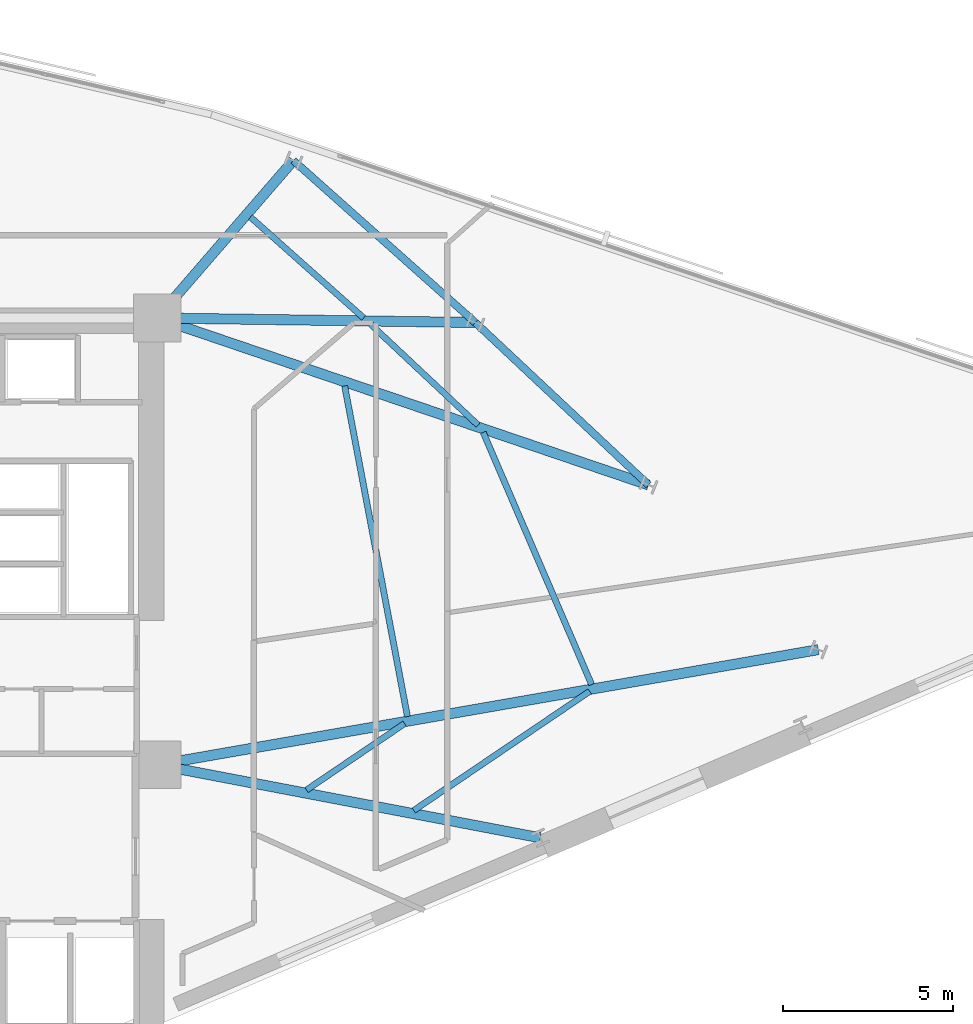
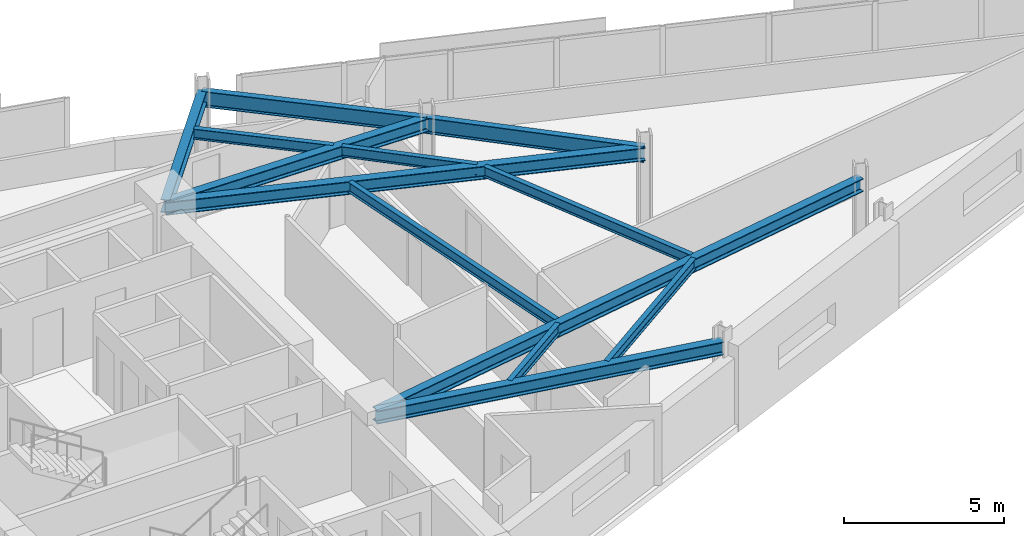
# One storey, part 3 of 14: 13 beams.
"""IFC4 building model written with IfcOpenShell, lengths in metres."""

from ifc_helpers import new_model, si_unit, direction, frame, origin, origin_2d, place, context, subcontext, project, spatial, i_section, extrude, material, material_profile, profile_set, type_object, element, save


model = new_model("IFC4")

# Units and contexts
model_context = context("Model", 3, precision=1e-05, world=origin(), true_north=direction((0.0, 1.0)))
body_context = subcontext(model_context, "Body", "Model", "MODEL_VIEW")
ifc_project = project(units=[si_unit("LENGTHUNIT", "METRE"), si_unit("AREAUNIT", "SQUARE_METRE"), si_unit("VOLUMEUNIT", "CUBIC_METRE"), si_unit("PLANEANGLEUNIT", "RADIAN"), si_unit("MASSUNIT", "GRAM", prefix="KILO")], contexts=[model_context])

# Site, building, storey
site_placement = place(None, origin())
site = spatial("IfcSite", under=ifc_project, at=site_placement, CompositionType="ELEMENT")
building_placement = place(site_placement, origin())
building = spatial("IfcBuilding", under=site, at=building_placement, Name="Narakoshi Arena Tower", CompositionType="ELEMENT")
storey_placement = place(building_placement, frame((0.0, 0.0, 193.179931640625)))
storey = spatial("IfcBuildingStorey", under=building, at=storey_placement, Name="L52", CompositionType="ELEMENT", Elevation=193.179931640625)

# Beams
ifc_material = material(Name="Structural steel S355J2", Category="steel")
ifc_material_profile_1 = material_profile(ifc_material, i_section(OverallWidth=0.219970703125, OverallDepth=0.60009765625, WebThickness=0.011962890625, FlangeThickness=0.01904296875, FilletRadius=0.02392578125, at=origin_2d()), Name="IPE600")
ifc_profile_set_1 = profile_set([ifc_material_profile_1], Name="Structural steel S355J2")
beam_type_1 = type_object("IfcBeamType", Name="BM-EDGE-600", PredefinedType="BEAM", material=ifc_profile_set_1)
beam_1_placement = place(storey_placement, frame((100.012939453125, 51.58544921875, 2.719970703125), z_axis=(-0.729413011888, 0.684073576517, 0.0), x_axis=(-0.684073576517, -0.729413011888, 0.0)))
element("IfcBeam", 1, at=beam_1_placement, inside=storey, type_object=beam_type_1, Name="L52 Perimeter Edge Girder 04", PredefinedType="BEAM", context=body_context, shape_type="SweptSolid", body=[
    extrude(i_section(OverallWidth=0.219970703125, OverallDepth=0.60009765625, WebThickness=0.011962890625, FlangeThickness=0.01904296875, FilletRadius=0.02392578125, at=origin_2d()), origin(), (0.0, 0.0, 1.0), 6.9892578125),
])
beam_2_placement = place(storey_placement, frame((94.914794921875, 56.36669921875, 2.719970703125), z_axis=(-0.746743797071, 0.665111796269, 0.0), x_axis=(-0.665111796269, -0.746743797071, 0.0)))
element("IfcBeam", 2, at=beam_2_placement, inside=storey, type_object=beam_type_1, Name="L52 Perimeter Edge Girder 05", PredefinedType="BEAM", context=body_context, shape_type="SweptSolid", body=[
    extrude(i_section(OverallWidth=0.219970703125, OverallDepth=0.60009765625, WebThickness=0.011962890625, FlangeThickness=0.01904296875, FilletRadius=0.02392578125, at=origin_2d()), origin(), (0.0, 0.0, 1.0), 7.168701171875),
])
ifc_material_profile_2 = material_profile(ifc_material, i_section(OverallWidth=0.300048828125, OverallDepth=0.5, WebThickness=0.014404296875, FlangeThickness=0.028076171875, FilletRadius=0.027099609375, at=origin_2d()), Name="HE500B")
ifc_profile_set_2 = profile_set([ifc_material_profile_2], Name="Structural steel S355J2")
beam_type_2 = type_object("IfcBeamType", Name="BM-PRI-500", PredefinedType="BEAM", material=ifc_profile_set_2)
beam_3_placement = place(storey_placement, frame((85.550048828125, 43.35009765625, 2.77001953125), z_axis=(0.982317345732, -0.187223482166, 0.0), x_axis=(0.187223482166, 0.982317345732, 0.0)))
element("IfcBeam", 3, at=beam_3_placement, inside=storey, type_object=beam_type_2, Name="L52 Radial Primary Floor Girder 01", PredefinedType="BEAM", context=body_context, shape_type="SweptSolid", body=[
    extrude(i_section(OverallWidth=0.300048828125, OverallDepth=0.5, WebThickness=0.014404296875, FlangeThickness=0.028076171875, FilletRadius=0.027099609375, at=origin_2d()), origin(), (0.0, 0.0, 1.0), 11.483154296875),
])
beam_4_placement = place(storey_placement, frame((85.550048828125, 43.35009765625, 2.77001953125), z_axis=(0.985174720478, 0.171553986052, 0.0), x_axis=(-0.171553986052, 0.985174720478, 0.0)))
element("IfcBeam", 4, at=beam_4_placement, inside=storey, type_object=beam_type_2, Name="L52 Radial Primary Floor Girder 03", PredefinedType="BEAM", context=body_context, shape_type="SweptSolid", body=[
    extrude(i_section(OverallWidth=0.300048828125, OverallDepth=0.5, WebThickness=0.014404296875, FlangeThickness=0.028076171875, FilletRadius=0.027099609375, at=origin_2d()), origin(), (0.0, 0.0, 1.0), 19.752685546875),
])
beam_5_placement = place(storey_placement, frame((85.550048828125, 56.5, 2.77001953125), z_axis=(0.94682923499, -0.321736537818, 0.0), x_axis=(0.321736537818, 0.94682923499, 0.0)))
element("IfcBeam", 5, at=beam_5_placement, inside=storey, type_object=beam_type_2, Name="L52 Radial Primary Floor Girder 04", PredefinedType="BEAM", context=body_context, shape_type="SweptSolid", body=[
    extrude(i_section(OverallWidth=0.300048828125, OverallDepth=0.5, WebThickness=0.014404296875, FlangeThickness=0.028076171875, FilletRadius=0.027099609375, at=origin_2d()), origin(), (0.0, 0.0, 1.0), 15.275146484375),
])
beam_6_placement = place(storey_placement, frame((85.550048828125, 56.5, 2.77001953125), z_axis=(0.999898707477, -0.014232876956, 0.0), x_axis=(0.014232876956, 0.999898707477, 0.0)))
element("IfcBeam", 6, at=beam_6_placement, inside=storey, type_object=beam_type_2, Name="L52 Radial Primary Floor Girder 05", PredefinedType="BEAM", context=body_context, shape_type="SweptSolid", body=[
    extrude(i_section(OverallWidth=0.300048828125, OverallDepth=0.5, WebThickness=0.014404296875, FlangeThickness=0.028076171875, FilletRadius=0.027099609375, at=origin_2d()), origin(), (0.0, 0.0, 1.0), 9.36572265625),
])
beam_7_placement = place(storey_placement, frame((85.550048828125, 56.5, 2.77001953125), z_axis=(0.654434553487, 0.756118651537, 0.0), x_axis=(-0.756118651537, 0.654434553487, 0.0)))
element("IfcBeam", 7, at=beam_7_placement, inside=storey, type_object=beam_type_2, Name="L52 Radial Primary Floor Girder 06", PredefinedType="BEAM", context=body_context, shape_type="SweptSolid", body=[
    extrude(i_section(OverallWidth=0.300048828125, OverallDepth=0.5, WebThickness=0.014404296875, FlangeThickness=0.028076171875, FilletRadius=0.027099609375, at=origin_2d()), origin(), (0.0, 0.0, 1.0), 6.129638671875),
])
ifc_material_profile_3 = material_profile(ifc_material, i_section(OverallWidth=0.179931640625, OverallDepth=0.39990234375, WebThickness=0.008544921875, FlangeThickness=0.013427734375, FilletRadius=0.02099609375, at=origin_2d()), Name="IPE400")
ifc_profile_set_3 = profile_set([ifc_material_profile_3], Name="Structural steel S355J2")
beam_type_3 = type_object("IfcBeamType", Name="BM-SEC-400", PredefinedType="JOIST", material=ifc_profile_set_3)
beam_8_placement = place(storey_placement, frame((89.9482421875, 42.608642578125, 2.820068359375), z_axis=(0.828028888203, 0.560685437924, 0.0), x_axis=(-0.560685437924, 0.828028888203, 0.0)))
element("IfcBeam", 8, at=beam_8_placement, inside=storey, type_object=beam_type_3, Name="L52 Composite Secondary Floor Joist 01", PredefinedType="JOIST", context=body_context, shape_type="SweptSolid", body=[
    extrude(i_section(OverallWidth=0.179931640625, OverallDepth=0.39990234375, WebThickness=0.008544921875, FlangeThickness=0.013427734375, FilletRadius=0.02099609375, at=origin_2d()), origin(), (0.0, 0.0, 1.0), 3.48388671875),
])
beam_9_placement = place(storey_placement, frame((93.106689453125, 42.0068359375, 2.820068359375), z_axis=(0.828032186591, 0.560680566785, 0.0), x_axis=(-0.560680566785, 0.828032186591, 0.0)))
element("IfcBeam", 9, at=beam_9_placement, inside=storey, type_object=beam_type_3, Name="L52 Composite Secondary Floor Joist 02", PredefinedType="JOIST", context=body_context, shape_type="SweptSolid", body=[
    extrude(i_section(OverallWidth=0.179931640625, OverallDepth=0.39990234375, WebThickness=0.008544921875, FlangeThickness=0.013427734375, FilletRadius=0.02099609375, at=origin_2d()), origin(), (0.0, 0.0, 1.0), 6.249755859375),
])
beam_10_placement = place(storey_placement, frame((92.919677734375, 44.7705078125, 2.820068359375), z_axis=(-0.186663500969, 0.982423909219, 0.0), x_axis=(-0.982423909219, -0.186663500969, 0.0)))
element("IfcBeam", 10, at=beam_10_placement, inside=storey, type_object=beam_type_3, Name="L52 Composite Secondary Floor Joist 03", PredefinedType="JOIST", context=body_context, shape_type="SweptSolid", body=[
    extrude(i_section(OverallWidth=0.179931640625, OverallDepth=0.39990234375, WebThickness=0.008544921875, FlangeThickness=0.013427734375, FilletRadius=0.02099609375, at=origin_2d()), origin(), (0.0, 0.0, 1.0), 9.903564453125),
])
beam_11_placement = place(storey_placement, frame((98.340087890625, 45.710693359375, 2.820068359375), z_axis=(-0.395038717544, 0.918664471742, 0.0), x_axis=(-0.918664471742, -0.395038717544, 0.0)))
element("IfcBeam", 11, at=beam_11_placement, inside=storey, type_object=beam_type_3, Name="L52 Composite Secondary Floor Joist 04", PredefinedType="JOIST", context=body_context, shape_type="SweptSolid", body=[
    extrude(i_section(OverallWidth=0.179931640625, OverallDepth=0.39990234375, WebThickness=0.008544921875, FlangeThickness=0.013427734375, FilletRadius=0.02099609375, at=origin_2d()), origin(), (0.0, 0.0, 1.0), 8.07861328125),
])
beam_12_placement = place(storey_placement, frame((94.9970703125, 53.348876953125, 2.820068359375), z_axis=(-0.729453050593, 0.684030881598, 0.0), x_axis=(-0.684030881598, -0.729453050593, 0.0)))
element("IfcBeam", 12, at=beam_12_placement, inside=storey, type_object=beam_type_3, Name="L52 Composite Secondary Floor Joist 05", PredefinedType="JOIST", context=body_context, shape_type="SweptSolid", body=[
    extrude(i_section(OverallWidth=0.179931640625, OverallDepth=0.39990234375, WebThickness=0.008544921875, FlangeThickness=0.013427734375, FilletRadius=0.02099609375, at=origin_2d()), origin(), (0.0, 0.0, 1.0), 4.343017578125),
])
beam_13_placement = place(storey_placement, frame((91.6298828125, 56.501708984375, 2.820068359375), z_axis=(-0.746726556719, 0.665131152097, 0.0), x_axis=(-0.665131152097, -0.746726556719, 0.0)))
element("IfcBeam", 13, at=beam_13_placement, inside=storey, type_object=beam_type_3, Name="L52 Composite Secondary Floor Joist 06", PredefinedType="JOIST", context=body_context, shape_type="SweptSolid", body=[
    extrude(i_section(OverallWidth=0.179931640625, OverallDepth=0.39990234375, WebThickness=0.008544921875, FlangeThickness=0.013427734375, FilletRadius=0.02099609375, at=origin_2d()), origin(), (0.0, 0.0, 1.0), 4.461181640625),
])

save(model, "model.ifc")
